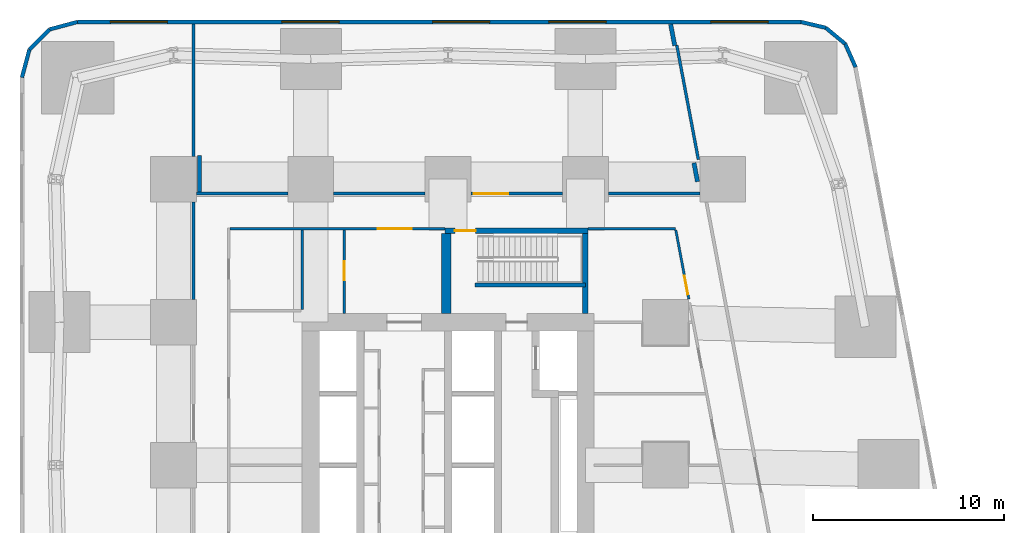
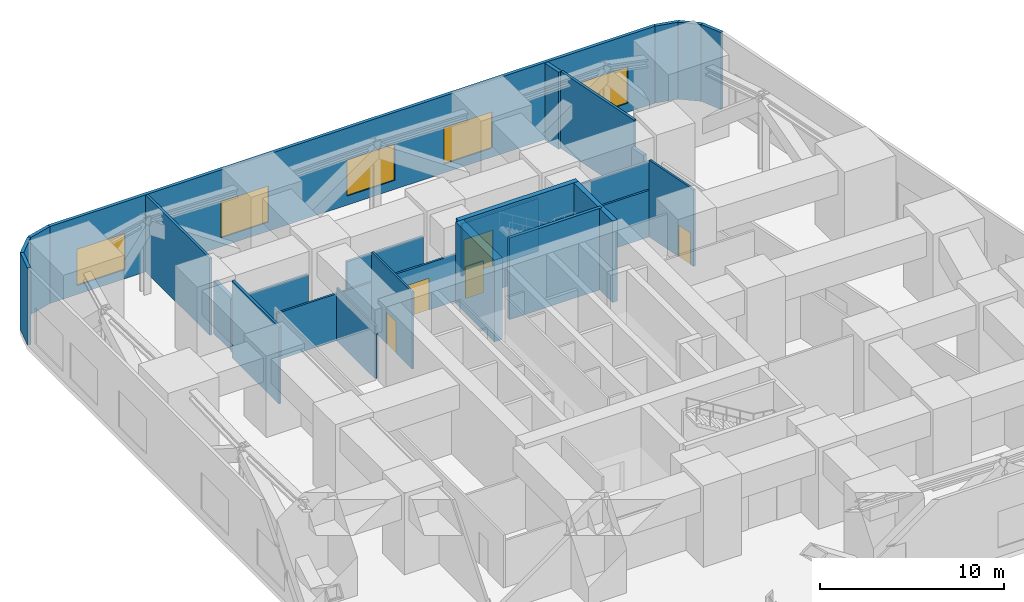
# One storey, part 6 of 8: 26 walls, 5 doors, 5 windows, 10 openings.
"""IFC4 building model written with IfcOpenShell, lengths in metres."""

from ifc_helpers import new_model, si_unit, direction, frame, frame_2d, origin, place, context, subcontext, project, spatial, rectangle, extrude, material, layer, layer_set, type_object, element, fill, save


model = new_model("IFC4")

# Units and contexts
model_context = context("Model", 3, precision=1e-05, world=origin(), true_north=direction((0.0, 1.0)))
body_context = subcontext(model_context, "Body", "Model", "MODEL_VIEW")
ifc_project = project(units=[si_unit("LENGTHUNIT", "METRE"), si_unit("AREAUNIT", "SQUARE_METRE"), si_unit("VOLUMEUNIT", "CUBIC_METRE"), si_unit("PLANEANGLEUNIT", "RADIAN"), si_unit("MASSUNIT", "GRAM", prefix="KILO")], contexts=[model_context])

# Site, building, storey
site_placement = place(None, origin())
site = spatial("IfcSite", under=ifc_project, at=site_placement, CompositionType="ELEMENT")
building_placement = place(site_placement, origin())
building = spatial("IfcBuilding", under=site, at=building_placement, Name="Sheger Commons Tower", CompositionType="ELEMENT")
storey_placement = place(building_placement, frame((0.0, 0.0, 14.60009765625)))
storey = spatial("IfcBuildingStorey", under=building, at=storey_placement, Name="L03", CompositionType="ELEMENT", Elevation=14.60009765625)

# Walls
ifc_material_1 = material(Name="Hollow concrete block masonry, skimmed both sides", Category="masonry")
ifc_layer_1 = layer(ifc_material_1, 0.14990234375)
ifc_layer_set_1 = layer_set([ifc_layer_1], Name="CORRIDOR WALL 150")
wall_type_1 = type_object("IfcWallType", Name="CORRIDOR WALL 150", PredefinedType="SOLIDWALL", material=ifc_layer_set_1)
wall_1_placement = place(storey_placement, frame((8.25, 31.200927734375, 0.0), z_axis=(0.0, 0.0, 1.0), x_axis=(0.0, 1.0, 0.0)))
element("IfcWall", 1, at=wall_1_placement, inside=storey, type_object=wall_type_1, Name="Corridor wall L03", PredefinedType="SOLIDWALL", context=body_context, shape_type="SweptSolid", body=[
    extrude(rectangle(XDim=5.09814453125, YDim=0.14990234375, at=frame_2d((2.549072265625, 0.0))), origin(), (0.0, 0.0, 1.0), 5.099853515625),
])
wall_2_placement = place(storey_placement, frame((8.25, 38.700927734375, 0.0), z_axis=(0.0, 0.0, 1.0), x_axis=(0.0, 1.0, 0.0)))
element("IfcWall", 2, at=wall_2_placement, inside=storey, type_object=wall_type_1, Name="Corridor wall L03", PredefinedType="SOLIDWALL", context=body_context, shape_type="SweptSolid", body=[
    extrude(rectangle(XDim=6.948974609375, YDim=0.14990234375, at=frame_2d((3.474609375, 0.0))), origin(), (0.0, 0.0, 1.0), 5.099853515625),
])
wall_3_placement = place(storey_placement, frame((8.40087890625, 36.75, 0.0), z_axis=(0.0, 0.0, 1.0), x_axis=(1.0, 0.0, 0.0)))
element("IfcWall", 3, at=wall_3_placement, inside=storey, type_object=wall_type_1, Name="Corridor wall L03", PredefinedType="SOLIDWALL", context=body_context, shape_type="SweptSolid", body=[
    extrude(rectangle(XDim=4.798095703125, YDim=0.14990234375, at=frame_2d((2.39892578125, 0.0))), origin(), (0.0, 0.0, 1.0), 3.5),
])
wall_4_placement = place(storey_placement, frame((15.60107421875, 36.75, 0.0), z_axis=(0.0, 0.0, 1.0), x_axis=(1.0, 0.0, 0.0)))
element("IfcWall", 4, at=wall_4_placement, inside=storey, type_object=wall_type_1, Name="Corridor wall L03", PredefinedType="SOLIDWALL", context=body_context, shape_type="SweptSolid", body=[
    extrude(rectangle(XDim=4.7978515625, YDim=0.14990234375, at=frame_2d((2.39892578125, 0.0))), origin(), (0.0, 0.0, 1.0), 3.5),
])

# Wall, opening, door
wall_5_placement = place(storey_placement, frame((22.801025390625, 36.75, 0.0), z_axis=(0.0, 0.0, 1.0), x_axis=(1.0, 0.0, 0.0)))
wall_5 = element("IfcWall", 5, at=wall_5_placement, inside=storey, type_object=wall_type_1, Name="Corridor wall L03", PredefinedType="SOLIDWALL", context=body_context, shape_type="SweptSolid", body=[
    extrude(rectangle(XDim=4.798095703125, YDim=0.14990234375, at=frame_2d((2.39892578125, 0.0))), origin(), (0.0, 0.0, 1.0), 3.5),
])
opening_1_placement = place(wall_5_placement, frame((0.14990234375, 0.0, 0.0)))
opening_1 = element("IfcOpeningElement", 6, at=opening_1_placement, cuts=wall_5, Name="Opening D7", PredefinedType="OPENING", context=body_context, shape_type="SweptSolid", body=[
    extrude(rectangle(XDim=1.800048828125, YDim=2.39990234375, at=frame_2d((0.89990234375, 1.199951171875))), frame((0.0, 0.0849609375, 0.0), z_axis=(0.0, -1.0, 0.0), x_axis=(1.0, 0.0, 0.0)), (0.0, 0.0, 1.0), 0.169921875),
])
ifc_material_2 = material(Name="Steel door set, fire rated", Category="steel")
door_type_1 = type_object("IfcDoorType", Name="PLANT DOUBLE DOOR 1800x2400", OperationType="DOUBLE_DOOR_SINGLE_SWING", PredefinedType="DOOR", material=ifc_material_2)
door_1_placement = place(opening_1_placement, origin())
door_1 = element("IfcDoor", 7, at=door_1_placement, inside=storey, type_object=door_type_1, Name="Electrical plant room door", OperationType="DOUBLE_DOOR_SINGLE_SWING", OverallHeight=2.39990234375, OverallWidth=1.800048828125, PredefinedType="DOOR", context=body_context, shape_type="SweptSolid", body=[
    extrude(rectangle(XDim=1.800048828125, YDim=2.39990234375, at=frame_2d((0.89990234375, 1.199951171875))), frame((0.0, 0.02490234375, 0.0), z_axis=(0.0, -1.0, 0.0), x_axis=(1.0, 0.0, 0.0)), (0.0, 0.0, 1.0), 0.050048828125),
])
fill(opening_1, door_1)

# Walls
wall_6_placement = place(storey_placement, frame((30.0009765625, 36.75, 0.0), z_axis=(0.0, 0.0, 1.0), x_axis=(1.0, 0.0, 0.0)))
element("IfcWall", 8, at=wall_6_placement, inside=storey, type_object=wall_type_1, Name="Corridor wall L03", PredefinedType="SOLIDWALL", context=body_context, shape_type="SweptSolid", body=[
    extrude(rectangle(XDim=4.798095703125, YDim=0.14990234375, at=frame_2d((2.39892578125, 0.0))), origin(), (0.0, 0.0, 1.0), 3.5),
])
wall_7_placement = place(storey_placement, frame((33.593994140625, 44.52587890625, 0.0), z_axis=(0.0, 0.0, 1.0), x_axis=(0.18556169571, -0.982632615521, 0.0)))
element("IfcWall", 9, at=wall_7_placement, inside=storey, type_object=wall_type_1, Name="Corridor wall L03", PredefinedType="SOLIDWALL", context=body_context, shape_type="SweptSolid", body=[
    extrude(rectangle(XDim=6.100830078125, YDim=0.14990234375, at=frame_2d((3.05029296875, 0.0))), origin(), (0.0, 0.0, 1.0), 5.099853515625),
])
ifc_material_3 = material(Name="Rendered concrete block masonry, dark grey", Category="masonry")
ifc_layer_2 = layer(ifc_material_3, 0.199951171875)
ifc_layer_set_2 = layer_set([ifc_layer_2], Name="FACADE WALL 200")
wall_type_2 = type_object("IfcWallType", Name="FACADE WALL 200", PredefinedType="SOLIDWALL", material=ifc_layer_set_2)
wall_8_placement = place(storey_placement, frame((42.969970703125, 43.376953125, 0.0), z_axis=(0.0, 0.0, 1.0), x_axis=(-0.406002956633, 0.913871762998, 0.0)))
element("IfcWall", 10, at=wall_8_placement, inside=storey, type_object=wall_type_2, Name="Facade wall L03", PredefinedType="SOLIDWALL", context=body_context, shape_type="SweptSolid", body=[
    extrude(rectangle(XDim=1.33740234375, YDim=0.199951171875, at=frame_2d((0.668701171875, 0.0))), origin(), (0.0, 0.0, 1.0), 5.099853515625),
])
wall_9_placement = place(storey_placement, frame((42.427001953125, 44.59912109375, 0.0), z_axis=(0.0, 0.0, 1.0), x_axis=(-0.770091412544, 0.637933551655, 0.0)))
element("IfcWall", 11, at=wall_9_placement, inside=storey, type_object=wall_type_2, Name="Facade wall L03", PredefinedType="SOLIDWALL", context=body_context, shape_type="SweptSolid", body=[
    extrude(rectangle(XDim=1.324462890625, YDim=0.199951171875, at=frame_2d((0.662109375, 0.0))), origin(), (0.0, 0.0, 1.0), 5.099853515625),
])
wall_10_placement = place(storey_placement, frame((41.406982421875, 45.444091796875, 0.0), z_axis=(0.0, 0.0, 1.0), x_axis=(-0.973453091607, 0.228886606077, 0.0)))
element("IfcWall", 12, at=wall_10_placement, inside=storey, type_object=wall_type_2, Name="Facade wall L03", PredefinedType="SOLIDWALL", context=body_context, shape_type="SweptSolid", body=[
    extrude(rectangle(XDim=1.33642578125, YDim=0.199951171875, at=frame_2d((0.668212890625, 0.0))), origin(), (0.0, 0.0, 1.0), 5.099853515625),
])

# Wall, openings, windows
wall_11_placement = place(storey_placement, frame((40.10595703125, 45.75, 0.0), z_axis=(0.0, 0.0, 1.0), x_axis=(-1.0, 0.0, 0.0)))
wall_11 = element("IfcWall", 13, at=wall_11_placement, inside=storey, type_object=wall_type_2, Name="Facade wall L03", PredefinedType="SOLIDWALL", context=body_context, shape_type="SweptSolid", body=[
    extrude(rectangle(XDim=37.94287109375, YDim=0.199951171875, at=frame_2d((18.971435546875, 0.0))), origin(), (0.0, 0.0, 1.0), 5.099853515625),
])
opening_2_placement = place(wall_11_placement, frame((1.721923828125, 0.0, 0.60009765625)))
opening_2 = element("IfcOpeningElement", 14, at=opening_2_placement, cuts=wall_11, Name="Opening LV1", PredefinedType="OPENING", context=body_context, shape_type="SweptSolid", body=[
    extrude(rectangle(XDim=3.0, YDim=2.39990234375, at=frame_2d((1.5, 1.199951171875))), frame((0.0, 0.10986328125, 0.0), z_axis=(0.0, -1.0, 0.0), x_axis=(1.0, 0.0, 0.0)), (0.0, 0.0, 1.0), 0.219970703125),
])
opening_3_placement = place(wall_11_placement, frame((10.221923828125, 0.0, 0.60009765625)))
opening_3 = element("IfcOpeningElement", 15, at=opening_3_placement, cuts=wall_11, Name="Opening LV1", PredefinedType="OPENING", context=body_context, shape_type="SweptSolid", body=[
    extrude(rectangle(XDim=3.0, YDim=2.39990234375, at=frame_2d((1.5, 1.199951171875))), frame((0.0, 0.10986328125, 0.0), z_axis=(0.0, -1.0, 0.0), x_axis=(1.0, 0.0, 0.0)), (0.0, 0.0, 1.0), 0.219970703125),
])
opening_4_placement = place(wall_11_placement, frame((16.322021484375, 0.0, 0.60009765625)))
opening_4 = element("IfcOpeningElement", 16, at=opening_4_placement, cuts=wall_11, Name="Opening LV1", PredefinedType="OPENING", context=body_context, shape_type="SweptSolid", body=[
    extrude(rectangle(XDim=3.0, YDim=2.39990234375, at=frame_2d((1.5, 1.199951171875))), frame((0.0, 0.10986328125, 0.0), z_axis=(0.0, -1.0, 0.0), x_axis=(1.0, 0.0, 0.0)), (0.0, 0.0, 1.0), 0.219970703125),
])
opening_5_placement = place(wall_11_placement, frame((24.221923828125, 0.0, 0.60009765625)))
opening_5 = element("IfcOpeningElement", 17, at=opening_5_placement, cuts=wall_11, Name="Opening LV1", PredefinedType="OPENING", context=body_context, shape_type="SweptSolid", body=[
    extrude(rectangle(XDim=3.0, YDim=2.39990234375, at=frame_2d((1.5, 1.199951171875))), frame((0.0, 0.10986328125, 0.0), z_axis=(0.0, -1.0, 0.0), x_axis=(1.0, 0.0, 0.0)), (0.0, 0.0, 1.0), 0.219970703125),
])
opening_6_placement = place(wall_11_placement, frame((33.221923828125, 0.0, 0.60009765625)))
opening_6 = element("IfcOpeningElement", 18, at=opening_6_placement, cuts=wall_11, Name="Opening LV1", PredefinedType="OPENING", context=body_context, shape_type="SweptSolid", body=[
    extrude(rectangle(XDim=3.0, YDim=2.39990234375, at=frame_2d((1.5, 1.199951171875))), frame((0.0, 0.10986328125, 0.0), z_axis=(0.0, -1.0, 0.0), x_axis=(1.0, 0.0, 0.0)), (0.0, 0.0, 1.0), 0.219970703125),
])
ifc_material_4 = material(Name="Black aluminium louvre", Category="aluminium")
window_type = type_object("IfcWindowType", Name="LOUVRE LV1 3000x2400", PartitioningType="SINGLE_PANEL", PredefinedType="USERDEFINED", material=ifc_material_4)
window_1_placement = place(opening_2_placement, origin())
window_1 = element("IfcWindow", 19, at=window_1_placement, inside=storey, type_object=window_type, Name="Louvre Lv1 3000X2400", ObjectType="LOUVRE", OverallHeight=2.39990234375, OverallWidth=3.0, PartitioningType="SINGLE_PANEL", PredefinedType="USERDEFINED", context=body_context, shape_type="SweptSolid", body=[
    extrude(rectangle(XDim=3.0, YDim=2.39990234375, at=frame_2d((1.5, 1.199951171875))), frame((0.0, 0.030029296875, 0.0), z_axis=(0.0, -1.0, 0.0), x_axis=(1.0, 0.0, 0.0)), (0.0, 0.0, 1.0), 0.06005859375),
])
fill(opening_2, window_1)
window_2_placement = place(opening_3_placement, origin())
window_2 = element("IfcWindow", 20, at=window_2_placement, inside=storey, type_object=window_type, Name="Louvre Lv1 3000X2400", ObjectType="LOUVRE", OverallHeight=2.39990234375, OverallWidth=3.0, PartitioningType="SINGLE_PANEL", PredefinedType="USERDEFINED", context=body_context, shape_type="SweptSolid", body=[
    extrude(rectangle(XDim=3.0, YDim=2.39990234375, at=frame_2d((1.5, 1.199951171875))), frame((0.0, 0.030029296875, 0.0), z_axis=(0.0, -1.0, 0.0), x_axis=(1.0, 0.0, 0.0)), (0.0, 0.0, 1.0), 0.06005859375),
])
fill(opening_3, window_2)
window_3_placement = place(opening_4_placement, origin())
window_3 = element("IfcWindow", 21, at=window_3_placement, inside=storey, type_object=window_type, Name="Louvre Lv1 3000X2400", ObjectType="LOUVRE", OverallHeight=2.39990234375, OverallWidth=3.0, PartitioningType="SINGLE_PANEL", PredefinedType="USERDEFINED", context=body_context, shape_type="SweptSolid", body=[
    extrude(rectangle(XDim=3.0, YDim=2.39990234375, at=frame_2d((1.5, 1.199951171875))), frame((0.0, 0.030029296875, 0.0), z_axis=(0.0, -1.0, 0.0), x_axis=(1.0, 0.0, 0.0)), (0.0, 0.0, 1.0), 0.06005859375),
])
fill(opening_4, window_3)
window_4_placement = place(opening_5_placement, origin())
window_4 = element("IfcWindow", 22, at=window_4_placement, inside=storey, type_object=window_type, Name="Louvre Lv1 3000X2400", ObjectType="LOUVRE", OverallHeight=2.39990234375, OverallWidth=3.0, PartitioningType="SINGLE_PANEL", PredefinedType="USERDEFINED", context=body_context, shape_type="SweptSolid", body=[
    extrude(rectangle(XDim=3.0, YDim=2.39990234375, at=frame_2d((1.5, 1.199951171875))), frame((0.0, 0.030029296875, 0.0), z_axis=(0.0, -1.0, 0.0), x_axis=(1.0, 0.0, 0.0)), (0.0, 0.0, 1.0), 0.06005859375),
])
fill(opening_5, window_4)
window_5_placement = place(opening_6_placement, origin())
window_5 = element("IfcWindow", 23, at=window_5_placement, inside=storey, type_object=window_type, Name="Louvre Lv1 3000X2400", ObjectType="LOUVRE", OverallHeight=2.39990234375, OverallWidth=3.0, PartitioningType="SINGLE_PANEL", PredefinedType="USERDEFINED", context=body_context, shape_type="SweptSolid", body=[
    extrude(rectangle(XDim=3.0, YDim=2.39990234375, at=frame_2d((1.5, 1.199951171875))), frame((0.0, 0.030029296875, 0.0), z_axis=(0.0, -1.0, 0.0), x_axis=(1.0, 0.0, 0.0)), (0.0, 0.0, 1.0), 0.06005859375),
])
fill(opening_6, window_5)

# Walls
wall_12_placement = place(storey_placement, frame((2.1630859375, 45.75, 0.0), z_axis=(0.0, 0.0, 1.0), x_axis=(-0.965832000415, -0.259168954497, 0.0)))
element("IfcWall", 24, at=wall_12_placement, inside=storey, type_object=wall_type_2, Name="Facade wall L03", PredefinedType="SOLIDWALL", context=body_context, shape_type="SweptSolid", body=[
    extrude(rectangle(XDim=1.512939453125, YDim=0.199951171875, at=frame_2d((0.75634765625, 0.0))), origin(), (0.0, 0.0, 1.0), 5.099853515625),
])
wall_13_placement = place(storey_placement, frame((0.701904296875, 45.35791015625, 0.0), z_axis=(0.0, 0.0, 1.0), x_axis=(-0.707106781187, -0.707106781187, 0.0)))
element("IfcWall", 25, at=wall_13_placement, inside=storey, type_object=wall_type_2, Name="Facade wall L03", PredefinedType="SOLIDWALL", context=body_context, shape_type="SweptSolid", body=[
    extrude(rectangle(XDim=1.498779296875, YDim=0.199951171875, at=frame_2d((0.74951171875, 0.0))), origin(), (0.0, 0.0, 1.0), 5.099853515625),
])
wall_14_placement = place(storey_placement, frame((-0.35791015625, 44.298095703125, 0.0), z_axis=(0.0, 0.0, 1.0), x_axis=(-0.259168954497, -0.965832000415, 0.0)))
element("IfcWall", 26, at=wall_14_placement, inside=storey, type_object=wall_type_2, Name="Facade wall L03", PredefinedType="SOLIDWALL", context=body_context, shape_type="SweptSolid", body=[
    extrude(rectangle(XDim=1.512939453125, YDim=0.199951171875, at=frame_2d((0.75634765625, 0.0))), origin(), (0.0, 0.0, 1.0), 5.099853515625),
])
ifc_material_5 = material(Name="Dense concrete block masonry, skimmed both sides", Category="masonry")
ifc_layer_3 = layer(ifc_material_5, 0.22509765625)
ifc_layer_set_3 = layer_set([ifc_layer_3], Name="FIRE WALL 225")
wall_type_3 = type_object("IfcWallType", Name="FIRE WALL 225", PredefinedType="SOLIDWALL", material=ifc_layer_set_3)
wall_15_placement = place(storey_placement, frame((8.56005859375, 36.824951171875, 0.0), z_axis=(0.0, 0.0, 1.0), x_axis=(0.0, 1.0, 0.0)))
element("IfcWall", 27, at=wall_15_placement, inside=storey, type_object=wall_type_3, Name="Plant room wall L03", PredefinedType="SOLIDWALL", context=body_context, shape_type="SweptSolid", body=[
    extrude(rectangle(XDim=1.925048828125, YDim=0.22509765625, at=frame_2d((0.96240234375, 0.0))), origin(), (0.0, 0.0, 1.0), 3.5),
])
wall_16_placement = place(storey_placement, frame((33.27294921875, 45.6298828125, 0.0), z_axis=(0.0, 0.0, 1.0), x_axis=(0.185318495177, -0.982678510676, 0.0)))
element("IfcWall", 28, at=wall_16_placement, inside=storey, type_object=wall_type_3, Name="Plant room wall L03", PredefinedType="SOLIDWALL", context=body_context, shape_type="SweptSolid", body=[
    extrude(rectangle(XDim=1.144775390625, YDim=0.22509765625, at=frame_2d((0.572265625, 0.0))), origin(), (0.0, 0.0, 1.0), 5.099853515625),
])
wall_17_placement = place(storey_placement, frame((34.4951171875, 38.35400390625, 0.0), z_axis=(0.0, 0.0, 1.0), x_axis=(0.18496711727, -0.982744710252, 0.0)))
element("IfcWall", 29, at=wall_17_placement, inside=storey, type_object=wall_type_3, Name="Plant room wall L03", PredefinedType="SOLIDWALL", context=body_context, shape_type="SweptSolid", body=[
    extrude(rectangle(XDim=0.999267578125, YDim=0.22509765625, at=frame_2d((0.49951171875, 0.0))), origin(), (0.0, 0.0, 1.0), 3.5),
])
ifc_material_6 = material(Name="Gypsum board on steel studs, two layers each side, fire rated", Category="steel")
ifc_layer_4 = layer(ifc_material_6, 0.125)
ifc_layer_set_4 = layer_set([ifc_layer_4], Name="SERVICE WALL 125")
wall_type_4 = type_object("IfcWallType", Name="SERVICE WALL 125", PredefinedType="PARTITIONING", material=ifc_layer_set_4)
wall_18_placement = place(storey_placement, frame((13.949951171875, 30.6630859375, 0.0), z_axis=(0.0, 0.0, 1.0), x_axis=(0.0, 1.0, 0.0)))
element("IfcWall", 30, at=wall_18_placement, inside=storey, type_object=wall_type_4, Name="Service room wall L03", PredefinedType="PARTITIONING", context=body_context, shape_type="SweptSolid", body=[
    extrude(rectangle(XDim=4.173828125, YDim=0.125, at=frame_2d((2.0869140625, 0.0))), origin(), (0.0, 0.0, 1.0), 3.5),
])

# Wall, opening, door
wall_19_placement = place(storey_placement, frame((10.1630859375, 34.89990234375, 0.0), z_axis=(0.0, 0.0, 1.0), x_axis=(1.0, 0.0, 0.0)))
wall_19 = element("IfcWall", 31, at=wall_19_placement, inside=storey, type_object=wall_type_4, Name="Service room wall L03", PredefinedType="PARTITIONING", context=body_context, shape_type="SweptSolid", body=[
    extrude(rectangle(XDim=11.286865234375, YDim=0.125, at=frame_2d((5.6435546875, 0.0))), origin(), (0.0, 0.0, 1.0), 3.099853515625),
])
opening_7_placement = place(wall_19_placement, frame((7.737060546875, 0.0, 0.0)))
opening_7 = element("IfcOpeningElement", 32, at=opening_7_placement, cuts=wall_19, Name="Opening D6", PredefinedType="OPENING", context=body_context, shape_type="SweptSolid", body=[
    extrude(rectangle(XDim=1.800048828125, YDim=2.10009765625, at=frame_2d((0.89990234375, 1.050048828125))), frame((0.0, 0.072509765625, 0.0), z_axis=(0.0, -1.0, 0.0), x_axis=(1.0, 0.0, 0.0)), (0.0, 0.0, 1.0), 0.14501953125),
])
ifc_material_7 = material(Name="Steel door set, fire rated", Category="steel")
door_type_2 = type_object("IfcDoorType", Name="LOBBY DOUBLE DOOR 1800x2100", OperationType="DOUBLE_DOOR_SINGLE_SWING", PredefinedType="DOOR", material=ifc_material_7)
door_2_placement = place(opening_7_placement, origin())
door_2 = element("IfcDoor", 33, at=door_2_placement, inside=storey, type_object=door_type_2, Name="Lift lobby north door", OperationType="DOUBLE_DOOR_SINGLE_SWING", OverallHeight=2.10009765625, OverallWidth=1.800048828125, PredefinedType="DOOR", context=body_context, shape_type="SweptSolid", body=[
    extrude(rectangle(XDim=1.800048828125, YDim=2.10009765625, at=frame_2d((0.89990234375, 1.050048828125))), frame((0.0, 0.02490234375, 0.0), z_axis=(0.0, -1.0, 0.0), x_axis=(1.0, 0.0, 0.0)), (0.0, 0.0, 1.0), 0.050048828125),
])
fill(opening_7, door_2)

wall_20_placement = place(storey_placement, frame((16.14990234375, 30.449951171875, 0.0), z_axis=(0.0, 0.0, 1.0), x_axis=(0.0, 1.0, 0.0)))
wall_20 = element("IfcWall", 34, at=wall_20_placement, inside=storey, type_object=wall_type_4, Name="Service room wall L03", PredefinedType="PARTITIONING", context=body_context, shape_type="SweptSolid", body=[
    extrude(rectangle(XDim=4.386962890625, YDim=0.125, at=frame_2d((2.193359375, 0.0))), origin(), (0.0, 0.0, 1.0), 5.099853515625),
])
opening_8_placement = place(wall_20_placement, frame((1.75, 0.0, 0.0)))
opening_8 = element("IfcOpeningElement", 35, at=opening_8_placement, cuts=wall_20, Name="Opening D4", PredefinedType="OPENING", context=body_context, shape_type="SweptSolid", body=[
    extrude(rectangle(XDim=1.0, YDim=2.10009765625, at=frame_2d((0.5, 1.050048828125))), frame((0.0, 0.072509765625, 0.0), z_axis=(0.0, -1.0, 0.0), x_axis=(1.0, 0.0, 0.0)), (0.0, 0.0, 1.0), 0.14501953125),
])
ifc_material_8 = material(Name="Steel door set, fire rated", Category="steel")
door_type_3 = type_object("IfcDoorType", Name="SERVICE DOOR 1000x2100", OperationType="NOTDEFINED", PredefinedType="DOOR", material=ifc_material_8)
door_3_placement = place(opening_8_placement, origin())
door_3 = element("IfcDoor", 36, at=door_3_placement, inside=storey, type_object=door_type_3, Name="Telecom room door", OperationType="SINGLE_SWING_RIGHT", OverallHeight=2.10009765625, OverallWidth=1.0, PredefinedType="DOOR", context=body_context, shape_type="SweptSolid", body=[
    extrude(rectangle(XDim=1.0, YDim=2.10009765625, at=frame_2d((0.5, 1.050048828125))), frame((0.0, 0.02490234375, 0.0), z_axis=(0.0, -1.0, 0.0), x_axis=(1.0, 0.0, 0.0)), (0.0, 0.0, 1.0), 0.050048828125),
])
fill(opening_8, door_3)

# Wall
wall_21_placement = place(storey_placement, frame((28.949951171875, 34.89990234375, 0.0), z_axis=(0.0, 0.0, 1.0), x_axis=(1.0, 0.0, 0.0)))
element("IfcWall", 37, at=wall_21_placement, inside=storey, type_object=wall_type_4, Name="Service room wall L03", PredefinedType="PARTITIONING", context=body_context, shape_type="SweptSolid", body=[
    extrude(rectangle(XDim=4.588134765625, YDim=0.125, at=frame_2d((2.2939453125, 0.0))), origin(), (0.0, 0.0, 1.0), 3.099853515625),
])

# Wall, opening, door
wall_22_placement = place(storey_placement, frame((34.22607421875, 31.212890625, 0.0), z_axis=(0.0, 0.0, 1.0), x_axis=(-0.185694811189, 0.982607468472, 0.0)))
wall_22 = element("IfcWall", 38, at=wall_22_placement, inside=storey, type_object=wall_type_4, Name="Service room wall L03", PredefinedType="PARTITIONING", context=body_context, shape_type="SweptSolid", body=[
    extrude(rectangle(XDim=3.689208984375, YDim=0.125, at=frame_2d((1.8447265625, 0.0))), origin(), (0.0, 0.0, 1.0), 5.099853515625),
])
opening_9_placement = place(wall_22_placement, frame((0.25, 0.0, 0.0)))
opening_9 = element("IfcOpeningElement", 39, at=opening_9_placement, cuts=wall_22, Name="Opening D4", PredefinedType="OPENING", context=body_context, shape_type="SweptSolid", body=[
    extrude(rectangle(XDim=1.0, YDim=2.10009765625, at=frame_2d((0.5, 1.050048828125))), frame((0.0, 0.072509765625, 0.0), z_axis=(0.0, -1.0, 0.0), x_axis=(1.0, 0.0, 0.0)), (0.0, 0.0, 1.0), 0.14501953125),
])
door_4_placement = place(opening_9_placement, origin())
door_4 = element("IfcDoor", 40, at=door_4_placement, inside=storey, type_object=door_type_3, Name="Store door", OperationType="SINGLE_SWING_LEFT", OverallHeight=2.10009765625, OverallWidth=1.0, PredefinedType="DOOR", context=body_context, shape_type="SweptSolid", body=[
    extrude(rectangle(XDim=1.0, YDim=2.10009765625, at=frame_2d((0.5, 1.050048828125))), frame((0.0, 0.02490234375, 0.0), z_axis=(0.0, -1.0, 0.0), x_axis=(1.0, 0.0, 0.0)), (0.0, 0.0, 1.0), 0.050048828125),
])
fill(opening_9, door_4)

ifc_material_9 = material(Name="Concrete C50/60", Category="concrete")
ifc_layer_5 = layer(ifc_material_9, 0.300048828125)
ifc_layer_set_5 = layer_set([ifc_layer_5], Name="STAIR CORE WALL 300")
wall_type_5 = type_object("IfcWallType", Name="STAIR CORE WALL 300", PredefinedType="SHEAR", material=ifc_layer_set_5)
wall_23_placement = place(storey_placement, frame((21.449951171875, 34.800048828125, 0.0), z_axis=(0.0, 0.0, 1.0), x_axis=(1.0, 0.0, 0.0)))
wall_23 = element("IfcWall", 41, at=wall_23_placement, inside=storey, type_object=wall_type_5, Name="STW-L03-S2N", PredefinedType="SHEAR", context=body_context, shape_type="SweptSolid", body=[
    extrude(rectangle(XDim=7.5, YDim=0.300048828125, at=frame_2d((3.75, 0.0))), origin(), (0.0, 0.0, 1.0), 5.39990234375),
])
opening_10_placement = place(wall_23_placement, frame((0.5, 0.0, 0.0)))
opening_10 = element("IfcOpeningElement", 42, at=opening_10_placement, cuts=wall_23, Name="Opening D5", PredefinedType="OPENING", context=body_context, shape_type="SweptSolid", body=[
    extrude(rectangle(XDim=1.10009765625, YDim=2.10009765625, at=frame_2d((0.550048828125, 1.050048828125))), frame((0.0, 0.159912109375, 0.0), z_axis=(0.0, -1.0, 0.0), x_axis=(1.0, 0.0, 0.0)), (0.0, 0.0, 1.0), 0.320068359375),
])
ifc_material_10 = material(Name="Steel door set, fire rated", Category="steel")
door_type_4 = type_object("IfcDoorType", Name="STAIR DOOR 1100x2100", OperationType="NOTDEFINED", PredefinedType="DOOR", material=ifc_material_10)
door_5_placement = place(opening_10_placement, origin())
door_5 = element("IfcDoor", 43, at=door_5_placement, inside=storey, type_object=door_type_4, Name="Stair S2 door", OperationType="SINGLE_SWING_RIGHT", OverallHeight=2.10009765625, OverallWidth=1.10009765625, PredefinedType="DOOR", context=body_context, shape_type="SweptSolid", body=[
    extrude(rectangle(XDim=1.10009765625, YDim=2.10009765625, at=frame_2d((0.550048828125, 1.050048828125))), frame((0.0, 0.02490234375, 0.0), z_axis=(0.0, -1.0, 0.0), x_axis=(1.0, 0.0, 0.0)), (0.0, 0.0, 1.0), 0.050048828125),
])
fill(opening_10, door_5)

# Walls
wall_24_placement = place(storey_placement, frame((28.800048828125, 30.449951171875, 0.0), z_axis=(0.0, 0.0, 1.0), x_axis=(0.0, 1.0, 0.0)))
element("IfcWall", 44, at=wall_24_placement, inside=storey, type_object=wall_type_5, Name="STW-L03-S2E", PredefinedType="SHEAR", context=body_context, shape_type="SweptSolid", body=[
    extrude(rectangle(XDim=4.199951171875, YDim=0.300048828125, at=frame_2d((2.10009765625, 0.0))), origin(), (0.0, 0.0, 1.0), 5.39990234375),
])
ifc_material_11 = material(Name="Concrete C50/60", Category="concrete")
ifc_layer_6 = layer(ifc_material_11, 0.5)
ifc_layer_set_6 = layer_set([ifc_layer_6], Name="STAIR CORE WALL 500")
wall_type_6 = type_object("IfcWallType", Name="STAIR CORE WALL 500", PredefinedType="SHEAR", material=ifc_layer_set_6)
wall_25_placement = place(storey_placement, frame((21.5, 30.449951171875, 0.0), z_axis=(0.0, 0.0, 1.0), x_axis=(0.0, 1.0, 0.0)))
element("IfcWall", 45, at=wall_25_placement, inside=storey, type_object=wall_type_6, Name="STW-L03-S2W", PredefinedType="SHEAR", context=body_context, shape_type="SweptSolid", body=[
    extrude(rectangle(XDim=4.199951171875, YDim=0.5, at=frame_2d((2.10009765625, 0.0))), origin(), (0.0, 0.0, 1.0), 5.39990234375),
])
ifc_material_12 = material(Name="Concrete C50/60", Category="concrete")
ifc_layer_7 = layer(ifc_material_12, 0.199951171875)
ifc_layer_set_7 = layer_set([ifc_layer_7], Name="STAIR SPINE WALL 200")
wall_type_7 = type_object("IfcWallType", Name="STAIR SPINE WALL 200", PredefinedType="SHEAR", material=ifc_layer_set_7)
wall_26_placement = place(storey_placement, frame((23.0, 31.949951171875, 0.0), z_axis=(0.0, 0.0, 1.0), x_axis=(1.0, 0.0, 0.0)))
element("IfcWall", 46, at=wall_26_placement, inside=storey, type_object=wall_type_7, Name="Stair spine wall L03", PredefinedType="SHEAR", context=body_context, shape_type="SweptSolid", body=[
    extrude(rectangle(XDim=5.800048828125, YDim=0.199951171875, at=frame_2d((2.89990234375, 0.0))), origin(), (0.0, 0.0, 1.0), 5.39990234375),
])

save(model, "model.ifc")
